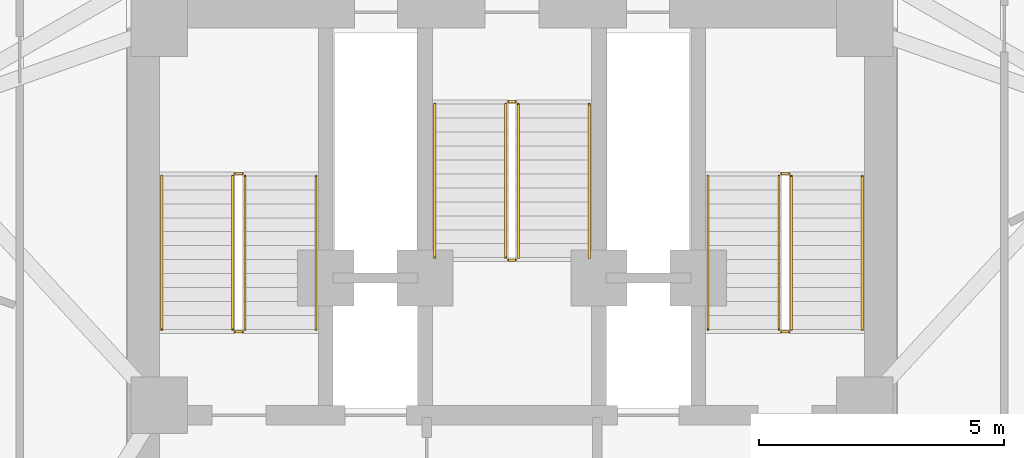
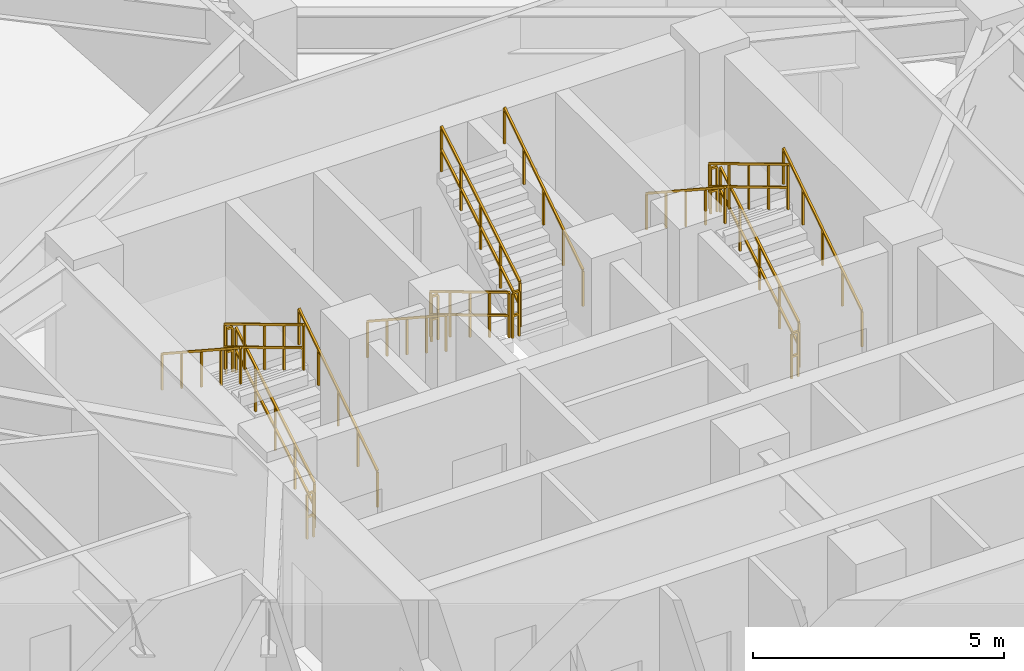
# One storey, part 13 of 14: 18 railings.
"""IFC4 building model written with IfcOpenShell, lengths in metres."""

import ifcopenshell
import ifcopenshell.guid

model = None  # the IFC model being written
_history = None  # IfcOwnerHistory: only IFC2X3 demands one
_inside = {}  # id of a spatial element -> (the spatial element, [elements in it])
_under = {}  # id of a project, library or spatial element -> (it, [spatial elements below it])
_declared = {}  # id of a project -> (the project, [libraries it declares])
_typed = {}  # id of a type object -> (the type object, [elements of that type])
_made_of = {}  # id of a material, layer set ... -> (it, [elements and type objects made of it])


def new_model(schema):
    """Start an empty IFC model of exactly this schema.

    Asked for "IFC4X3", IfcOpenShell would pick the latest addendum, in which some entities
    have other attributes; the version numbers below select the first issue.
    IFC2X3 requires an IfcOwnerHistory on every rooted entity: one is made here for all.
    """
    global model, _history
    if schema == "IFC4X3":
        model = ifcopenshell.file(schema_version=(4, 3, 0, 0))
    else:
        model = ifcopenshell.file(schema=schema)
    _inside.clear()
    _under.clear()
    _declared.clear()
    _typed.clear()
    _made_of.clear()
    _history = None
    if model.schema == "IFC2X3":
        org = make("IfcOrganization", Name="unknown")
        user = make(
            "IfcPersonAndOrganization",
            ThePerson=make("IfcPerson", FamilyName="unknown"),
            TheOrganization=org,
        )
        app = make(
            "IfcApplication",
            ApplicationDeveloper=org,
            Version="unknown",
            ApplicationFullName="unknown",
            ApplicationIdentifier="unknown",
        )
        _history = make(
            "IfcOwnerHistory",
            OwningUser=user,
            OwningApplication=app,
            ChangeAction="ADDED",
            CreationDate=0,
        )
    return model


def make(cls, **values):
    """One entity of the class cls with the attributes given. An attribute that is None is left unset."""
    return model.create_entity(
        cls, **{name: value for name, value in values.items() if value is not None}
    )


def rooted(cls, **values):
    """An entity with a GlobalId (a new one), such as an element, a storey or a relation."""
    return make(cls, GlobalId=ifcopenshell.guid.new(), OwnerHistory=_history, **values)


def si_unit(unit_type, name, prefix=None):
    """IfcSIUnit, for example si_unit("LENGTHUNIT", "METRE", prefix="MILLI")."""
    return make("IfcSIUnit", UnitType=unit_type, Prefix=prefix, Name=name)


def assignment(units):
    """IfcUnitAssignment: the units of a project."""
    return None if units is None else make("IfcUnitAssignment", Units=units)


def point(xyz):
    """IfcCartesianPoint."""
    return None if xyz is None else make("IfcCartesianPoint", Coordinates=xyz)


def direction(xyz):
    """IfcDirection."""
    return None if xyz is None else make("IfcDirection", DirectionRatios=xyz)


def frame(location, z_axis=None, x_axis=None):
    """IfcAxis2Placement3D, a coordinate frame: its origin and axes. An axis left out is left unset."""
    return make(
        "IfcAxis2Placement3D",
        Location=point(location),
        Axis=direction(z_axis),
        RefDirection=direction(x_axis),
    )


def frame_2d(location, x_axis=None):
    """IfcAxis2Placement2D, a coordinate frame in the plane: its origin and x axis."""
    return make(
        "IfcAxis2Placement2D", Location=point(location), RefDirection=direction(x_axis)
    )


def origin():
    """The frame at (0, 0, 0) with its axes left unset."""
    return frame((0.0, 0.0, 0.0))


def origin_2d():
    """The frame at (0, 0) in the plane with its x axis left unset."""
    return frame_2d((0.0, 0.0))


def place(relative_to, where):
    """IfcLocalPlacement: puts the frame where relative to a parent placement (None: the world)."""
    return make(
        "IfcLocalPlacement", PlacementRelTo=relative_to, RelativePlacement=where
    )


def context(
    kind, dimensions, precision=None, world=None, true_north=None, identifier=None
):
    """IfcGeometricRepresentationContext, for example the 3D "Model" context."""
    return make(
        "IfcGeometricRepresentationContext",
        ContextIdentifier=identifier,
        ContextType=kind,
        CoordinateSpaceDimension=dimensions,
        Precision=precision,
        WorldCoordinateSystem=world,
        TrueNorth=true_north,
    )


def subcontext(parent, identifier, kind, view, scale=None):
    """IfcGeometricRepresentationSubContext, for example "Body" below "Model"."""
    return make(
        "IfcGeometricRepresentationSubContext",
        ContextIdentifier=identifier,
        ContextType=kind,
        ParentContext=parent,
        TargetScale=scale,
        TargetView=view,
    )


def project(units=None, contexts=None):
    """IfcProject with its units and contexts."""
    return rooted(
        "IfcProject",
        Name="project",
        RepresentationContexts=contexts,
        UnitsInContext=assignment(units),
    )


def spatial(cls, under=None, at=None, **own):
    """A site, building, storey or space (cls), placed at a placement, below another one or the project."""
    s = rooted(cls, ObjectPlacement=at, **own)
    if under is not None:
        _under.setdefault(under.id(), (under, []))[1].append(s)
    return s


def profile(cls, at=None, kind="AREA", **sizes):
    """A parametric profile (cls). Its sizes go by their IFC names, for example OverallWidth=200.0."""
    return make(cls, ProfileType=kind, Position=at, **sizes)


def rectangle(**sizes):
    """IfcRectangleProfileDef."""
    return profile("IfcRectangleProfileDef", **sizes)


def extrude(swept, where, along, depth):
    """IfcExtrudedAreaSolid: the profile swept, set in the frame where, extruded along a direction by depth."""
    return make(
        "IfcExtrudedAreaSolid",
        SweptArea=swept,
        Position=where,
        ExtrudedDirection=direction(along),
        Depth=depth,
    )


def shape(context_of_items, identifier, shape_type, items):
    """IfcShapeRepresentation: the items that make up one representation, for example the "Body"."""
    return make(
        "IfcShapeRepresentation",
        ContextOfItems=context_of_items,
        RepresentationIdentifier=identifier,
        RepresentationType=shape_type,
        Items=items,
    )


def material(Name=None, Category=None):
    """IfcMaterial."""
    return make("IfcMaterial", Name=Name, Category=Category)


def made_of(thing, what):
    """Note that an element or type object is made of a material, layer set ...; save() writes the relation."""
    if what is not None:
        _made_of.setdefault(what.id(), (what, []))[1].append(thing)
    return thing


def type_object(cls, material=None, **own):
    """A type object (cls), such as IfcWallType, which elements share."""
    return made_of(rooted(cls, **own), material)


def element(
    cls,
    number,
    at=None,
    inside=None,
    cuts=None,
    type_object=None,
    material=None,
    context=None,
    identifier="Body",
    shape_type=None,
    held_by="IfcProductDefinitionShape",
    body=None,
    shapes=None,
    **own,
):
    """One element of the class cls, such as IfcWall. Its Tag is "e" and its number.

    at: its placement. inside: the storey or other place that contains it. cuts: it is an
    opening in that element (IfcRelVoidsElement). A single representation is given by context,
    identifier, shape_type and body (its items); several are given by shapes. held_by: the class
    of the entity that holds the representations. save() writes the other relations.
    """
    e = rooted(cls, Tag="e%d" % number, ObjectPlacement=at, **own)
    if body is not None:
        shapes = [shape(context, identifier, shape_type, body)]
    if shapes is not None:
        e.Representation = make(held_by, Representations=shapes)
    if inside is not None:
        _inside.setdefault(inside.id(), (inside, []))[1].append(e)
    if cuts is not None:
        rooted(
            "IfcRelVoidsElement", RelatingBuildingElement=cuts, RelatedOpeningElement=e
        )
    if type_object is not None:
        _typed.setdefault(type_object.id(), (type_object, []))[1].append(e)
    return made_of(e, material)


def aggregate(whole, parts):
    """IfcRelAggregates: a whole, such as a stair, and the parts it consists of."""
    return rooted("IfcRelAggregates", RelatingObject=whole, RelatedObjects=parts)


def save(model, path):
    """Write the relations noted so far, then the file.

    IfcRelAggregates (storeys below a building ...), IfcRelContainedInSpatialStructure (elements
    in a storey), IfcRelDefinesByType, IfcRelAssociatesMaterial and IfcRelDeclares: one each for
    every whole, place, type object, material and project.
    """
    for whole, parts in _under.values():
        aggregate(whole, parts)
    for where, things in _inside.values():
        rooted(
            "IfcRelContainedInSpatialStructure",
            RelatedElements=things,
            RelatingStructure=where,
        )
    for kind, things in _typed.values():
        rooted("IfcRelDefinesByType", RelatedObjects=things, RelatingType=kind)
    for what, things in _made_of.values():
        rooted("IfcRelAssociatesMaterial", RelatedObjects=things, RelatingMaterial=what)
    for by, libraries in _declared.values():
        rooted("IfcRelDeclares", RelatingContext=by, RelatedDefinitions=libraries)
    model.write(path)


model = new_model("IFC4")

# Units and contexts
model_context = context("Model", 3, precision=1e-05, world=origin(), true_north=direction((0.0, 1.0)))
body_context = subcontext(model_context, "Body", "Model", "MODEL_VIEW")
ifc_project = project(units=[si_unit("LENGTHUNIT", "METRE"), si_unit("AREAUNIT", "SQUARE_METRE"), si_unit("VOLUMEUNIT", "CUBIC_METRE"), si_unit("PLANEANGLEUNIT", "RADIAN"), si_unit("MASSUNIT", "GRAM", prefix="KILO")], contexts=[model_context])

# Site, building, storey
site_placement = place(None, origin())
site = spatial("IfcSite", under=ifc_project, at=site_placement, CompositionType="ELEMENT")
building_placement = place(site_placement, origin())
building = spatial("IfcBuilding", under=site, at=building_placement, Name="Apsidion Concourse Tower", CompositionType="ELEMENT")
storey_placement = place(building_placement, frame((0.0, 0.0, 194.199951171875)))
storey = spatial("IfcBuildingStorey", under=building, at=storey_placement, Name="L45", CompositionType="ELEMENT", Elevation=194.199951171875)

# Railings
ifc_material = material(Name="Brushed stainless steel 316", Category="steel")
railing_type_1 = type_object("IfcRailingType", Name="RL-GUARD-1100", PredefinedType="GUARDRAIL", material=ifc_material)
railing_1_placement = place(storey_placement, frame((-5.449951171875, 3.0, 0.1708984375)))
element("IfcRailing", 1, at=railing_1_placement, inside=storey, type_object=railing_type_1, Name="L45 ST1 stair guard 1", PredefinedType="GUARDRAIL", context=body_context, shape_type="SweptSolid", body=[
    extrude(rectangle(XDim=0.048095703125, YDim=0.048095703125, at=origin_2d()), frame((0.0, 0.0, 1.09619140625), z_axis=(0.0, 0.857716804754, 0.514122439544), x_axis=(-1.0, 0.0, 0.0)), (0.0, 0.0, 1.0), 3.655029296875),
    extrude(rectangle(XDim=0.048095703125, YDim=0.048095703125, at=origin_2d()), frame((0.0, 0.0, 0.5361328125), z_axis=(0.0, 0.857716804754, 0.514122439544), x_axis=(-1.0, 0.0, 0.0)), (0.0, 0.0, 1.0), 3.655029296875),
    extrude(rectangle(XDim=0.0419921875, YDim=0.0419921875, at=origin_2d()), origin(), (0.0, 0.0, 1.0), 1.072021484375),
    extrude(rectangle(XDim=0.0419921875, YDim=0.0419921875, at=origin_2d()), frame((0.0, 0.78369140625, 0.4697265625)), (0.0, 0.0, 1.0), 1.072021484375),
    extrude(rectangle(XDim=0.0419921875, YDim=0.0419921875, at=origin_2d()), frame((0.0, 1.5673828125, 0.939453125)), (0.0, 0.0, 1.0), 1.072021484375),
    extrude(rectangle(XDim=0.0419921875, YDim=0.0419921875, at=origin_2d()), frame((0.0, 2.351318359375, 1.409423828125)), (0.0, 0.0, 1.0), 1.072021484375),
    extrude(rectangle(XDim=0.0419921875, YDim=0.0419921875, at=origin_2d()), frame((0.0, 3.135009765625, 1.879150390625)), (0.0, 0.0, 1.0), 1.072021484375),
])
railing_2_placement = place(storey_placement, frame((-5.5, 6.18505859375, 2.050048828125)))
element("IfcRailing", 2, at=railing_2_placement, inside=storey, type_object=railing_type_1, Name="L45 ST1 stair guard 2", PredefinedType="GUARDRAIL", context=body_context, shape_type="SweptSolid", body=[
    extrude(rectangle(XDim=0.048095703125, YDim=0.048095703125, at=origin_2d()), frame((0.0, 0.0, 1.09619140625), z_axis=(-1.0, 0.0, 0.0), x_axis=(0.0, -1.0, 0.0)), (0.0, 0.0, 1.0), 0.14990234375),
    extrude(rectangle(XDim=0.048095703125, YDim=0.048095703125, at=origin_2d()), frame((0.0, 0.0, 0.5361328125), z_axis=(-1.0, 0.0, 0.0), x_axis=(0.0, -1.0, 0.0)), (0.0, 0.0, 1.0), 0.14990234375),
    extrude(rectangle(XDim=0.0419921875, YDim=0.0419921875, at=origin_2d()), origin(), (0.0, 0.0, 1.0), 1.072021484375),
    extrude(rectangle(XDim=0.0419921875, YDim=0.0419921875, at=origin_2d()), frame((-0.14990234375, 0.0, 0.0)), (0.0, 0.0, 1.0), 1.072021484375),
])
railing_3_placement = place(storey_placement, frame((-5.699951171875, 6.135009765625, 2.220947265625)))
element("IfcRailing", 3, at=railing_3_placement, inside=storey, type_object=railing_type_1, Name="L45 ST1 stair guard 3", PredefinedType="GUARDRAIL", context=body_context, shape_type="SweptSolid", body=[
    extrude(rectangle(XDim=0.048095703125, YDim=0.048095703125, at=origin_2d()), frame((0.0, 0.0, 1.09619140625), z_axis=(0.0, -0.857716804754, 0.514122439544), x_axis=(1.0, 0.0, 0.0)), (0.0, 0.0, 1.0), 3.655029296875),
    extrude(rectangle(XDim=0.048095703125, YDim=0.048095703125, at=origin_2d()), frame((0.0, 0.0, 0.5361328125), z_axis=(0.0, -0.857716804754, 0.514122439544), x_axis=(1.0, 0.0, 0.0)), (0.0, 0.0, 1.0), 3.655029296875),
    extrude(rectangle(XDim=0.0419921875, YDim=0.0419921875, at=origin_2d()), origin(), (0.0, 0.0, 1.0), 1.072021484375),
    extrude(rectangle(XDim=0.0419921875, YDim=0.0419921875, at=origin_2d()), frame((0.0, -0.78369140625, 0.4697265625)), (0.0, 0.0, 1.0), 1.072021484375),
    extrude(rectangle(XDim=0.0419921875, YDim=0.0419921875, at=origin_2d()), frame((0.0, -1.5673828125, 0.939453125)), (0.0, 0.0, 1.0), 1.072021484375),
    extrude(rectangle(XDim=0.0419921875, YDim=0.0419921875, at=origin_2d()), frame((0.0, -2.351318359375, 1.409423828125)), (0.0, 0.0, 1.0), 1.072021484375),
    extrude(rectangle(XDim=0.0419921875, YDim=0.0419921875, at=origin_2d()), frame((0.0, -3.135009765625, 1.879150390625)), (0.0, 0.0, 1.0), 1.072021484375),
])
railing_4_placement = place(storey_placement, frame((-5.5, 2.949951171875, 0.0)))
element("IfcRailing", 4, at=railing_4_placement, inside=storey, type_object=railing_type_1, Name="L45 ST1 stair guard 4", PredefinedType="GUARDRAIL", context=body_context, shape_type="SweptSolid", body=[
    extrude(rectangle(XDim=0.048095703125, YDim=0.048095703125, at=origin_2d()), frame((0.0, 0.0, 1.09619140625), z_axis=(-1.0, 0.0, 0.0), x_axis=(0.0, -1.0, 0.0)), (0.0, 0.0, 1.0), 0.14990234375),
    extrude(rectangle(XDim=0.048095703125, YDim=0.048095703125, at=origin_2d()), frame((0.0, 0.0, 0.5361328125), z_axis=(-1.0, 0.0, 0.0), x_axis=(0.0, -1.0, 0.0)), (0.0, 0.0, 1.0), 0.14990234375),
    extrude(rectangle(XDim=0.0419921875, YDim=0.0419921875, at=origin_2d()), origin(), (0.0, 0.0, 1.0), 1.072021484375),
    extrude(rectangle(XDim=0.0419921875, YDim=0.0419921875, at=origin_2d()), frame((-0.14990234375, 0.0, 0.0)), (0.0, 0.0, 1.0), 1.072021484375),
])
railing_5_placement = place(storey_placement, frame((5.699951171875, 3.0, 0.1708984375)))
element("IfcRailing", 5, at=railing_5_placement, inside=storey, type_object=railing_type_1, Name="L45 ST2 stair guard 1", PredefinedType="GUARDRAIL", context=body_context, shape_type="SweptSolid", body=[
    extrude(rectangle(XDim=0.048095703125, YDim=0.048095703125, at=origin_2d()), frame((0.0, 0.0, 1.09619140625), z_axis=(0.0, 0.857716804754, 0.514122439544), x_axis=(-1.0, 0.0, 0.0)), (0.0, 0.0, 1.0), 3.655029296875),
    extrude(rectangle(XDim=0.048095703125, YDim=0.048095703125, at=origin_2d()), frame((0.0, 0.0, 0.5361328125), z_axis=(0.0, 0.857716804754, 0.514122439544), x_axis=(-1.0, 0.0, 0.0)), (0.0, 0.0, 1.0), 3.655029296875),
    extrude(rectangle(XDim=0.0419921875, YDim=0.0419921875, at=origin_2d()), origin(), (0.0, 0.0, 1.0), 1.072021484375),
    extrude(rectangle(XDim=0.0419921875, YDim=0.0419921875, at=origin_2d()), frame((0.0, 0.78369140625, 0.4697265625)), (0.0, 0.0, 1.0), 1.072021484375),
    extrude(rectangle(XDim=0.0419921875, YDim=0.0419921875, at=origin_2d()), frame((0.0, 1.5673828125, 0.939453125)), (0.0, 0.0, 1.0), 1.072021484375),
    extrude(rectangle(XDim=0.0419921875, YDim=0.0419921875, at=origin_2d()), frame((0.0, 2.351318359375, 1.409423828125)), (0.0, 0.0, 1.0), 1.072021484375),
    extrude(rectangle(XDim=0.0419921875, YDim=0.0419921875, at=origin_2d()), frame((0.0, 3.135009765625, 1.879150390625)), (0.0, 0.0, 1.0), 1.072021484375),
])
railing_6_placement = place(storey_placement, frame((5.64990234375, 6.18505859375, 2.050048828125)))
element("IfcRailing", 6, at=railing_6_placement, inside=storey, type_object=railing_type_1, Name="L45 ST2 stair guard 2", PredefinedType="GUARDRAIL", context=body_context, shape_type="SweptSolid", body=[
    extrude(rectangle(XDim=0.048095703125, YDim=0.048095703125, at=origin_2d()), frame((0.0, 0.0, 1.09619140625), z_axis=(-1.0, 0.0, 0.0), x_axis=(0.0, -1.0, 0.0)), (0.0, 0.0, 1.0), 0.14990234375),
    extrude(rectangle(XDim=0.048095703125, YDim=0.048095703125, at=origin_2d()), frame((0.0, 0.0, 0.5361328125), z_axis=(-1.0, 0.0, 0.0), x_axis=(0.0, -1.0, 0.0)), (0.0, 0.0, 1.0), 0.14990234375),
    extrude(rectangle(XDim=0.0419921875, YDim=0.0419921875, at=origin_2d()), origin(), (0.0, 0.0, 1.0), 1.072021484375),
    extrude(rectangle(XDim=0.0419921875, YDim=0.0419921875, at=origin_2d()), frame((-0.14990234375, 0.0, 0.0)), (0.0, 0.0, 1.0), 1.072021484375),
])
railing_7_placement = place(storey_placement, frame((5.449951171875, 6.135009765625, 2.220947265625)))
element("IfcRailing", 7, at=railing_7_placement, inside=storey, type_object=railing_type_1, Name="L45 ST2 stair guard 3", PredefinedType="GUARDRAIL", context=body_context, shape_type="SweptSolid", body=[
    extrude(rectangle(XDim=0.048095703125, YDim=0.048095703125, at=origin_2d()), frame((0.0, 0.0, 1.09619140625), z_axis=(0.0, -0.857716804754, 0.514122439544), x_axis=(1.0, 0.0, 0.0)), (0.0, 0.0, 1.0), 3.655029296875),
    extrude(rectangle(XDim=0.048095703125, YDim=0.048095703125, at=origin_2d()), frame((0.0, 0.0, 0.5361328125), z_axis=(0.0, -0.857716804754, 0.514122439544), x_axis=(1.0, 0.0, 0.0)), (0.0, 0.0, 1.0), 3.655029296875),
    extrude(rectangle(XDim=0.0419921875, YDim=0.0419921875, at=origin_2d()), origin(), (0.0, 0.0, 1.0), 1.072021484375),
    extrude(rectangle(XDim=0.0419921875, YDim=0.0419921875, at=origin_2d()), frame((0.0, -0.78369140625, 0.4697265625)), (0.0, 0.0, 1.0), 1.072021484375),
    extrude(rectangle(XDim=0.0419921875, YDim=0.0419921875, at=origin_2d()), frame((0.0, -1.5673828125, 0.939453125)), (0.0, 0.0, 1.0), 1.072021484375),
    extrude(rectangle(XDim=0.0419921875, YDim=0.0419921875, at=origin_2d()), frame((0.0, -2.351318359375, 1.409423828125)), (0.0, 0.0, 1.0), 1.072021484375),
    extrude(rectangle(XDim=0.0419921875, YDim=0.0419921875, at=origin_2d()), frame((0.0, -3.135009765625, 1.879150390625)), (0.0, 0.0, 1.0), 1.072021484375),
])
railing_8_placement = place(storey_placement, frame((5.64990234375, 2.949951171875, 0.0)))
element("IfcRailing", 8, at=railing_8_placement, inside=storey, type_object=railing_type_1, Name="L45 ST2 stair guard 4", PredefinedType="GUARDRAIL", context=body_context, shape_type="SweptSolid", body=[
    extrude(rectangle(XDim=0.048095703125, YDim=0.048095703125, at=origin_2d()), frame((0.0, 0.0, 1.09619140625), z_axis=(-1.0, 0.0, 0.0), x_axis=(0.0, -1.0, 0.0)), (0.0, 0.0, 1.0), 0.14990234375),
    extrude(rectangle(XDim=0.048095703125, YDim=0.048095703125, at=origin_2d()), frame((0.0, 0.0, 0.5361328125), z_axis=(-1.0, 0.0, 0.0), x_axis=(0.0, -1.0, 0.0)), (0.0, 0.0, 1.0), 0.14990234375),
    extrude(rectangle(XDim=0.0419921875, YDim=0.0419921875, at=origin_2d()), origin(), (0.0, 0.0, 1.0), 1.072021484375),
    extrude(rectangle(XDim=0.0419921875, YDim=0.0419921875, at=origin_2d()), frame((-0.14990234375, 0.0, 0.0)), (0.0, 0.0, 1.0), 1.072021484375),
])
railing_9_placement = place(storey_placement, frame((-0.125, 7.60009765625, 0.1708984375)))
element("IfcRailing", 9, at=railing_9_placement, inside=storey, type_object=railing_type_1, Name="L45 ST3 stair guard 1", PredefinedType="GUARDRAIL", context=body_context, shape_type="SweptSolid", body=[
    extrude(rectangle(XDim=0.048095703125, YDim=0.048095703125, at=origin_2d()), frame((0.0, 0.0, 1.09619140625), z_axis=(0.0, -0.857716804754, 0.514122439544), x_axis=(1.0, 0.0, 0.0)), (0.0, 0.0, 1.0), 3.655029296875),
    extrude(rectangle(XDim=0.048095703125, YDim=0.048095703125, at=origin_2d()), frame((0.0, 0.0, 0.5361328125), z_axis=(0.0, -0.857716804754, 0.514122439544), x_axis=(1.0, 0.0, 0.0)), (0.0, 0.0, 1.0), 3.655029296875),
    extrude(rectangle(XDim=0.0419921875, YDim=0.0419921875, at=origin_2d()), origin(), (0.0, 0.0, 1.0), 1.072021484375),
    extrude(rectangle(XDim=0.0419921875, YDim=0.0419921875, at=origin_2d()), frame((0.0, -0.78369140625, 0.4697265625)), (0.0, 0.0, 1.0), 1.072021484375),
    extrude(rectangle(XDim=0.0419921875, YDim=0.0419921875, at=origin_2d()), frame((0.0, -1.5673828125, 0.939453125)), (0.0, 0.0, 1.0), 1.072021484375),
    extrude(rectangle(XDim=0.0419921875, YDim=0.0419921875, at=origin_2d()), frame((0.0, -2.351318359375, 1.409423828125)), (0.0, 0.0, 1.0), 1.072021484375),
    extrude(rectangle(XDim=0.0419921875, YDim=0.0419921875, at=origin_2d()), frame((0.0, -3.135009765625, 1.879150390625)), (0.0, 0.0, 1.0), 1.072021484375),
])
railing_10_placement = place(storey_placement, frame((-0.074951171875, 4.4150390625, 2.050048828125)))
element("IfcRailing", 10, at=railing_10_placement, inside=storey, type_object=railing_type_1, Name="L45 ST3 stair guard 2", PredefinedType="GUARDRAIL", context=body_context, shape_type="SweptSolid", body=[
    extrude(rectangle(XDim=0.048095703125, YDim=0.048095703125, at=origin_2d()), frame((0.0, 0.0, 1.09619140625), z_axis=(1.0, 0.0, 0.0), x_axis=(0.0, 1.0, 0.0)), (0.0, 0.0, 1.0), 0.14990234375),
    extrude(rectangle(XDim=0.048095703125, YDim=0.048095703125, at=origin_2d()), frame((0.0, 0.0, 0.5361328125), z_axis=(1.0, 0.0, 0.0), x_axis=(0.0, 1.0, 0.0)), (0.0, 0.0, 1.0), 0.14990234375),
    extrude(rectangle(XDim=0.0419921875, YDim=0.0419921875, at=origin_2d()), origin(), (0.0, 0.0, 1.0), 1.072021484375),
    extrude(rectangle(XDim=0.0419921875, YDim=0.0419921875, at=origin_2d()), frame((0.14990234375, 0.0, 0.0)), (0.0, 0.0, 1.0), 1.072021484375),
])
railing_11_placement = place(storey_placement, frame((0.125, 4.465087890625, 2.220947265625)))
element("IfcRailing", 11, at=railing_11_placement, inside=storey, type_object=railing_type_1, Name="L45 ST3 stair guard 3", PredefinedType="GUARDRAIL", context=body_context, shape_type="SweptSolid", body=[
    extrude(rectangle(XDim=0.048095703125, YDim=0.048095703125, at=origin_2d()), frame((0.0, 0.0, 1.09619140625), z_axis=(0.0, 0.857716804754, 0.514122439544), x_axis=(-1.0, 0.0, 0.0)), (0.0, 0.0, 1.0), 3.655029296875),
    extrude(rectangle(XDim=0.048095703125, YDim=0.048095703125, at=origin_2d()), frame((0.0, 0.0, 0.5361328125), z_axis=(0.0, 0.857716804754, 0.514122439544), x_axis=(-1.0, 0.0, 0.0)), (0.0, 0.0, 1.0), 3.655029296875),
    extrude(rectangle(XDim=0.0419921875, YDim=0.0419921875, at=origin_2d()), origin(), (0.0, 0.0, 1.0), 1.072021484375),
    extrude(rectangle(XDim=0.0419921875, YDim=0.0419921875, at=origin_2d()), frame((0.0, 0.78369140625, 0.4697265625)), (0.0, 0.0, 1.0), 1.072021484375),
    extrude(rectangle(XDim=0.0419921875, YDim=0.0419921875, at=origin_2d()), frame((0.0, 1.5673828125, 0.939453125)), (0.0, 0.0, 1.0), 1.072021484375),
    extrude(rectangle(XDim=0.0419921875, YDim=0.0419921875, at=origin_2d()), frame((0.0, 2.351318359375, 1.409423828125)), (0.0, 0.0, 1.0), 1.072021484375),
    extrude(rectangle(XDim=0.0419921875, YDim=0.0419921875, at=origin_2d()), frame((0.0, 3.135009765625, 1.879150390625)), (0.0, 0.0, 1.0), 1.072021484375),
])
railing_12_placement = place(storey_placement, frame((-0.074951171875, 7.64990234375, 0.0)))
element("IfcRailing", 12, at=railing_12_placement, inside=storey, type_object=railing_type_1, Name="L45 ST3 stair guard 4", PredefinedType="GUARDRAIL", context=body_context, shape_type="SweptSolid", body=[
    extrude(rectangle(XDim=0.048095703125, YDim=0.048095703125, at=origin_2d()), frame((0.0, 0.0, 1.09619140625), z_axis=(1.0, 0.0, 0.0), x_axis=(0.0, 1.0, 0.0)), (0.0, 0.0, 1.0), 0.14990234375),
    extrude(rectangle(XDim=0.048095703125, YDim=0.048095703125, at=origin_2d()), frame((0.0, 0.0, 0.5361328125), z_axis=(1.0, 0.0, 0.0), x_axis=(0.0, 1.0, 0.0)), (0.0, 0.0, 1.0), 0.14990234375),
    extrude(rectangle(XDim=0.0419921875, YDim=0.0419921875, at=origin_2d()), origin(), (0.0, 0.0, 1.0), 1.072021484375),
    extrude(rectangle(XDim=0.0419921875, YDim=0.0419921875, at=origin_2d()), frame((0.14990234375, 0.0, 0.0)), (0.0, 0.0, 1.0), 1.072021484375),
])
railing_type_2 = type_object("IfcRailingType", Name="RL-HAND-900", PredefinedType="HANDRAIL", material=ifc_material)
railing_13_placement = place(storey_placement, frame((-4.0, 3.0, 0.1708984375)))
element("IfcRailing", 13, at=railing_13_placement, inside=storey, type_object=railing_type_2, Name="L45 ST1 stair handrail 1", PredefinedType="HANDRAIL", context=body_context, shape_type="SweptSolid", body=[
    extrude(rectangle(XDim=0.048095703125, YDim=0.048095703125, at=origin_2d()), frame((0.0, 0.0, 0.8759765625), z_axis=(0.0, 0.836940907821, 0.547293263996), x_axis=(-1.0, 0.0, 0.0)), (0.0, 0.0, 1.0), 3.745849609375),
    extrude(rectangle(XDim=0.0419921875, YDim=0.0419921875, at=origin_2d()), origin(), (0.0, 0.0, 1.0), 0.851806640625),
    extrude(rectangle(XDim=0.0419921875, YDim=0.0419921875, at=origin_2d()), frame((0.0, 0.78369140625, 0.512451171875)), (0.0, 0.0, 1.0), 0.851806640625),
    extrude(rectangle(XDim=0.0419921875, YDim=0.0419921875, at=origin_2d()), frame((0.0, 1.5673828125, 1.02490234375)), (0.0, 0.0, 1.0), 0.851806640625),
    extrude(rectangle(XDim=0.0419921875, YDim=0.0419921875, at=origin_2d()), frame((0.0, 2.351318359375, 1.53759765625)), (0.0, 0.0, 1.0), 0.851806640625),
    extrude(rectangle(XDim=0.0419921875, YDim=0.0419921875, at=origin_2d()), frame((0.0, 3.135009765625, 2.050048828125)), (0.0, 0.0, 1.0), 0.851806640625),
])
railing_14_placement = place(storey_placement, frame((-7.14990234375, 6.135009765625, 2.220947265625)))
element("IfcRailing", 14, at=railing_14_placement, inside=storey, type_object=railing_type_2, Name="L45 ST1 stair handrail 2", PredefinedType="HANDRAIL", context=body_context, shape_type="SweptSolid", body=[
    extrude(rectangle(XDim=0.048095703125, YDim=0.048095703125, at=origin_2d()), frame((0.0, 0.0, 0.8759765625), z_axis=(0.0, -0.836940907821, 0.547293263996), x_axis=(1.0, 0.0, 0.0)), (0.0, 0.0, 1.0), 3.745849609375),
    extrude(rectangle(XDim=0.0419921875, YDim=0.0419921875, at=origin_2d()), origin(), (0.0, 0.0, 1.0), 0.851806640625),
    extrude(rectangle(XDim=0.0419921875, YDim=0.0419921875, at=origin_2d()), frame((0.0, -0.78369140625, 0.512451171875)), (0.0, 0.0, 1.0), 0.851806640625),
    extrude(rectangle(XDim=0.0419921875, YDim=0.0419921875, at=origin_2d()), frame((0.0, -1.5673828125, 1.02490234375)), (0.0, 0.0, 1.0), 0.851806640625),
    extrude(rectangle(XDim=0.0419921875, YDim=0.0419921875, at=origin_2d()), frame((0.0, -2.351318359375, 1.53759765625)), (0.0, 0.0, 1.0), 0.851806640625),
    extrude(rectangle(XDim=0.0419921875, YDim=0.0419921875, at=origin_2d()), frame((0.0, -3.135009765625, 2.050048828125)), (0.0, 0.0, 1.0), 0.851806640625),
])
railing_15_placement = place(storey_placement, frame((7.14990234375, 3.0, 0.1708984375)))
element("IfcRailing", 15, at=railing_15_placement, inside=storey, type_object=railing_type_2, Name="L45 ST2 stair handrail 1", PredefinedType="HANDRAIL", context=body_context, shape_type="SweptSolid", body=[
    extrude(rectangle(XDim=0.048095703125, YDim=0.048095703125, at=origin_2d()), frame((0.0, 0.0, 0.8759765625), z_axis=(0.0, 0.836940907821, 0.547293263996), x_axis=(-1.0, 0.0, 0.0)), (0.0, 0.0, 1.0), 3.745849609375),
    extrude(rectangle(XDim=0.0419921875, YDim=0.0419921875, at=origin_2d()), origin(), (0.0, 0.0, 1.0), 0.851806640625),
    extrude(rectangle(XDim=0.0419921875, YDim=0.0419921875, at=origin_2d()), frame((0.0, 0.78369140625, 0.512451171875)), (0.0, 0.0, 1.0), 0.851806640625),
    extrude(rectangle(XDim=0.0419921875, YDim=0.0419921875, at=origin_2d()), frame((0.0, 1.5673828125, 1.02490234375)), (0.0, 0.0, 1.0), 0.851806640625),
    extrude(rectangle(XDim=0.0419921875, YDim=0.0419921875, at=origin_2d()), frame((0.0, 2.351318359375, 1.53759765625)), (0.0, 0.0, 1.0), 0.851806640625),
    extrude(rectangle(XDim=0.0419921875, YDim=0.0419921875, at=origin_2d()), frame((0.0, 3.135009765625, 2.050048828125)), (0.0, 0.0, 1.0), 0.851806640625),
])
for number, where, name in (
    (16, (4.0, 6.135009765625, 2.220947265625), "L45 ST2 stair handrail 2"),
    (17, (-1.574951171875, 7.60009765625, 0.1708984375), "L45 ST3 stair handrail 1"),
):
    element("IfcRailing", number, at=place(storey_placement, frame(where)), inside=storey, type_object=railing_type_2, Name=name, PredefinedType="HANDRAIL", context=body_context, shape_type="SweptSolid", body=[
        extrude(rectangle(XDim=0.048095703125, YDim=0.048095703125, at=origin_2d()), frame((0.0, 0.0, 0.8759765625), z_axis=(0.0, -0.836940907821, 0.547293263996), x_axis=(1.0, 0.0, 0.0)), (0.0, 0.0, 1.0), 3.745849609375),
        extrude(rectangle(XDim=0.0419921875, YDim=0.0419921875, at=origin_2d()), origin(), (0.0, 0.0, 1.0), 0.851806640625),
        extrude(rectangle(XDim=0.0419921875, YDim=0.0419921875, at=origin_2d()), frame((0.0, -0.78369140625, 0.512451171875)), (0.0, 0.0, 1.0), 0.851806640625),
        extrude(rectangle(XDim=0.0419921875, YDim=0.0419921875, at=origin_2d()), frame((0.0, -1.5673828125, 1.02490234375)), (0.0, 0.0, 1.0), 0.851806640625),
        extrude(rectangle(XDim=0.0419921875, YDim=0.0419921875, at=origin_2d()), frame((0.0, -2.351318359375, 1.53759765625)), (0.0, 0.0, 1.0), 0.851806640625),
        extrude(rectangle(XDim=0.0419921875, YDim=0.0419921875, at=origin_2d()), frame((0.0, -3.135009765625, 2.050048828125)), (0.0, 0.0, 1.0), 0.851806640625),
    ])
railing_16_placement = place(storey_placement, frame((1.574951171875, 4.465087890625, 2.220947265625)))
element("IfcRailing", 18, at=railing_16_placement, inside=storey, type_object=railing_type_2, Name="L45 ST3 stair handrail 2", PredefinedType="HANDRAIL", context=body_context, shape_type="SweptSolid", body=[
    extrude(rectangle(XDim=0.048095703125, YDim=0.048095703125, at=origin_2d()), frame((0.0, 0.0, 0.8759765625), z_axis=(0.0, 0.836940907821, 0.547293263996), x_axis=(-1.0, 0.0, 0.0)), (0.0, 0.0, 1.0), 3.745849609375),
    extrude(rectangle(XDim=0.0419921875, YDim=0.0419921875, at=origin_2d()), origin(), (0.0, 0.0, 1.0), 0.851806640625),
    extrude(rectangle(XDim=0.0419921875, YDim=0.0419921875, at=origin_2d()), frame((0.0, 0.78369140625, 0.512451171875)), (0.0, 0.0, 1.0), 0.851806640625),
    extrude(rectangle(XDim=0.0419921875, YDim=0.0419921875, at=origin_2d()), frame((0.0, 1.5673828125, 1.02490234375)), (0.0, 0.0, 1.0), 0.851806640625),
    extrude(rectangle(XDim=0.0419921875, YDim=0.0419921875, at=origin_2d()), frame((0.0, 2.351318359375, 1.53759765625)), (0.0, 0.0, 1.0), 0.851806640625),
    extrude(rectangle(XDim=0.0419921875, YDim=0.0419921875, at=origin_2d()), frame((0.0, 3.135009765625, 2.050048828125)), (0.0, 0.0, 1.0), 0.851806640625),
])

save(model, "model.ifc")
